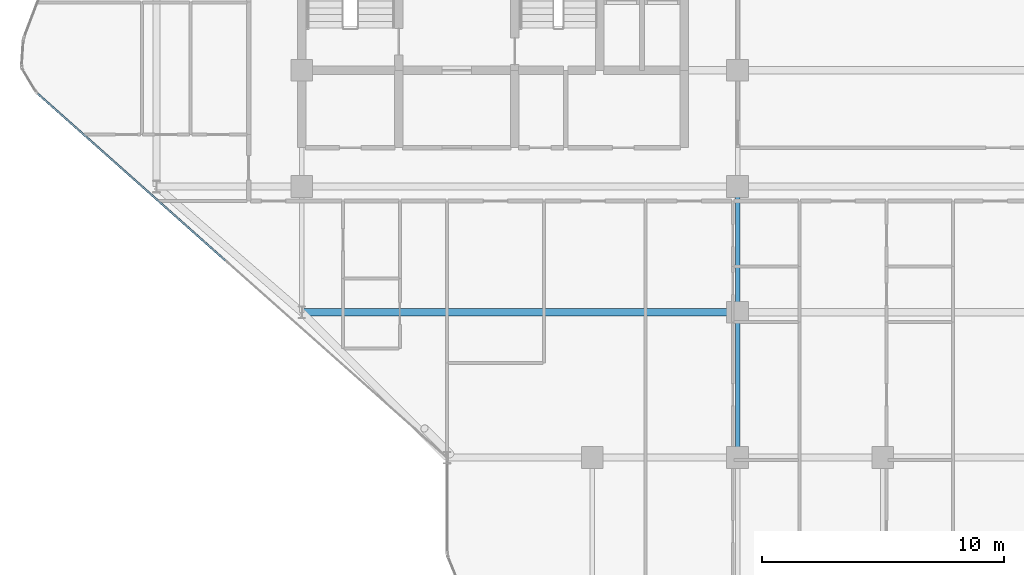
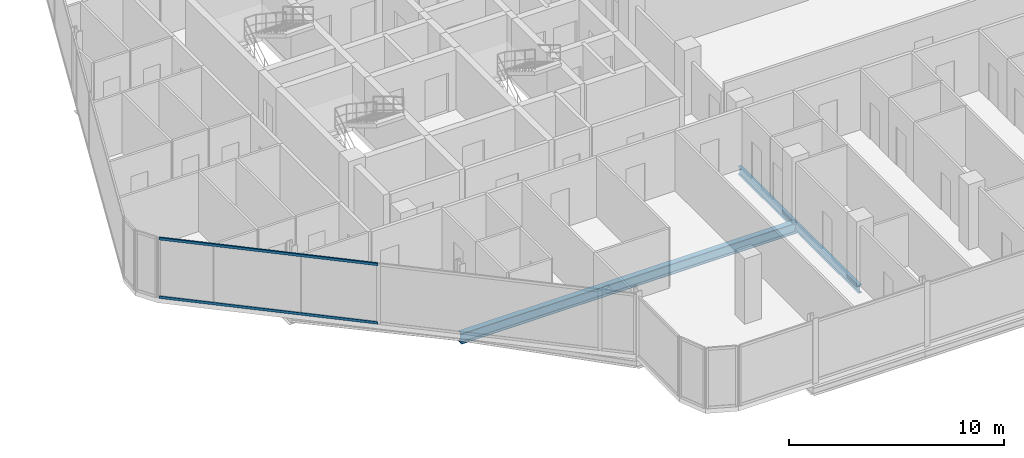
# One storey, part 6 of 32: 3 beams, 2 members, 1 element without a shape of its own.
"""IFC4 building model written with IfcOpenShell, lengths in metres."""

from ifc_helpers import new_model, si_unit, direction, frame, origin, origin_2d, place, context, subcontext, project, spatial, hollow_rectangle, i_section, extrude, material, layer, layer_set, material_profile, profile_set, type_object, element, aggregate, save


model = new_model("IFC4")

# Units and contexts
model_context = context("Model", 3, precision=1e-05, world=origin(), true_north=direction((0.0, 1.0)))
body_context = subcontext(model_context, "Body", "Model", "MODEL_VIEW")
ifc_project = project(units=[si_unit("LENGTHUNIT", "METRE"), si_unit("AREAUNIT", "SQUARE_METRE"), si_unit("VOLUMEUNIT", "CUBIC_METRE"), si_unit("PLANEANGLEUNIT", "RADIAN"), si_unit("MASSUNIT", "GRAM", prefix="KILO")], contexts=[model_context])

# Site, building, storey
site_placement = place(None, origin())
site = spatial("IfcSite", under=ifc_project, at=site_placement, CompositionType="ELEMENT")
building_placement = place(site_placement, origin())
building = spatial("IfcBuilding", under=site, at=building_placement, Name="Keshet Zoharim Tower", CompositionType="ELEMENT")
storey_placement = place(building_placement, frame((0.0, 0.0, 152.0)))
storey = spatial("IfcBuildingStorey", under=building, at=storey_placement, Name="L37", CompositionType="ELEMENT", Elevation=152.0)

# Beams
ifc_material_1 = material(Name="Steel S355", Category="steel")
ifc_material_profile_1 = material_profile(ifc_material_1, i_section(OverallWidth=0.300048828125, OverallDepth=0.60009765625, WebThickness=0.015380859375, FlangeThickness=0.030029296875, FilletRadius=0.027099609375, at=origin_2d()), Name="HEB600")
ifc_profile_set_1 = profile_set([ifc_material_profile_1], Name="Steel S355")
beam_type_1 = type_object("IfcBeamType", Name="BM-LNG-HB600", PredefinedType="BEAM", material=ifc_profile_set_1)
beam_1_placement = place(storey_placement, frame((15.0, 12.699951171875, -0.614990234375), z_axis=(1.0, 0.0, 0.0), x_axis=(0.0, 1.0, 0.0)))
element("IfcBeam", 1, at=beam_1_placement, inside=storey, type_object=beam_type_1, Name="L37 Primary Girder X-009", PredefinedType="BEAM", context=body_context, shape_type="SweptSolid", body=[
    extrude(i_section(OverallWidth=0.300048828125, OverallDepth=0.60009765625, WebThickness=0.015380859375, FlangeThickness=0.030029296875, FilletRadius=0.027099609375, at=origin_2d()), origin(), (0.0, 0.0, 1.0), 18.0),
])
ifc_material_profile_2 = material_profile(ifc_material_1, i_section(OverallWidth=0.18994140625, OverallDepth=0.449951171875, WebThickness=0.009521484375, FlangeThickness=0.0146484375, FilletRadius=0.02099609375, at=origin_2d()), Name="IPE450")
ifc_profile_set_2 = profile_set([ifc_material_profile_2], Name="Steel S355")
beam_type_2 = type_object("IfcBeamType", Name="BM-PRI-IP450", PredefinedType="BEAM", material=ifc_profile_set_2)
beam_2_placement = place(storey_placement, frame((33.0, 6.699951171875, -0.5400390625), z_axis=(0.0, 1.0, 0.0), x_axis=(-1.0, 0.0, 0.0)))
element("IfcBeam", 2, at=beam_2_placement, inside=storey, type_object=beam_type_2, Name="L37 Primary Girder Y-006", PredefinedType="BEAM", context=body_context, shape_type="SweptSolid", body=[
    extrude(i_section(OverallWidth=0.18994140625, OverallDepth=0.449951171875, WebThickness=0.009521484375, FlangeThickness=0.0146484375, FilletRadius=0.02099609375, at=origin_2d()), origin(), (0.0, 0.0, 1.0), 6.0),
])
beam_3_placement = place(storey_placement, frame((33.0, 12.699951171875, -0.5400390625), z_axis=(0.0, 1.0, 0.0), x_axis=(-1.0, 0.0, 0.0)))
element("IfcBeam", 3, at=beam_3_placement, inside=storey, type_object=beam_type_2, Name="L37 Primary Girder Y-007", PredefinedType="BEAM", context=body_context, shape_type="SweptSolid", body=[
    extrude(i_section(OverallWidth=0.18994140625, OverallDepth=0.449951171875, WebThickness=0.009521484375, FlangeThickness=0.0146484375, FilletRadius=0.02099609375, at=origin_2d()), origin(), (0.0, 0.0, 1.0), 5.199951171875),
])

# Curtain wall, members
ifc_material_2 = material(Name="Aluminium 6063-T6", Category="aluminium")
ifc_layer = layer(ifc_material_2, 0.159912109375)
ifc_layer_set = layer_set([ifc_layer], Name="Aluminium 6063-T6")
curtain_wall_type = type_object("IfcCurtainWallType", Name="CW-SYS-03", PredefinedType="NOTDEFINED", material=ifc_layer_set)
curtain_wall_placement = place(storey_placement, origin())
curtain_wall = element("IfcCurtainWall", 4, at=curtain_wall_placement, inside=storey, type_object=curtain_wall_type, Name="L37 Unitised Curtain Wall 07 Part 2", PredefinedType="NOTDEFINED")
ifc_material_profile_3 = material_profile(ifc_material_2, hollow_rectangle(XDim=0.080078125, YDim=0.139892578125, WallThickness=0.00390625, at=origin_2d()), Name="TRN-80x140")
ifc_profile_set_3 = profile_set([ifc_material_profile_3], Name="Aluminium 6063-T6")
member_type = type_object("IfcMemberType", Name="CWT-T14", PredefinedType="USERDEFINED", material=ifc_profile_set_3)
member_1_placement = place(storey_placement, frame((11.8388671875, 14.84326171875, 0.034912109375), z_axis=(-0.747411916254, 0.664360916552, 0.0), x_axis=(-0.664360916552, -0.747411916254, 0.0)))
member_1 = element("IfcMember", 5, at=member_1_placement, type_object=member_type, Name="CW-03 transom 2.1", ObjectType="TRANSOM", PredefinedType="USERDEFINED", context=body_context, shape_type="SweptSolid", body=[
    extrude(hollow_rectangle(XDim=0.080078125, YDim=0.139892578125, WallThickness=0.00390625, at=origin_2d()), origin(), (0.0, 0.0, 1.0), 10.37109375),
])
member_2_placement = place(storey_placement, frame((11.8388671875, 14.84326171875, 3.35009765625), z_axis=(-0.747411916254, 0.664360916552, 0.0), x_axis=(-0.664360916552, -0.747411916254, 0.0)))
member_2 = element("IfcMember", 6, at=member_2_placement, type_object=member_type, Name="CW-03 transom 2.2", ObjectType="TRANSOM", PredefinedType="USERDEFINED", context=body_context, shape_type="SweptSolid", body=[
    extrude(hollow_rectangle(XDim=0.080078125, YDim=0.139892578125, WallThickness=0.00390625, at=origin_2d()), origin(), (0.0, 0.0, 1.0), 10.37109375),
])
aggregate(curtain_wall, [member_1, member_2])

save(model, "model.ifc")
